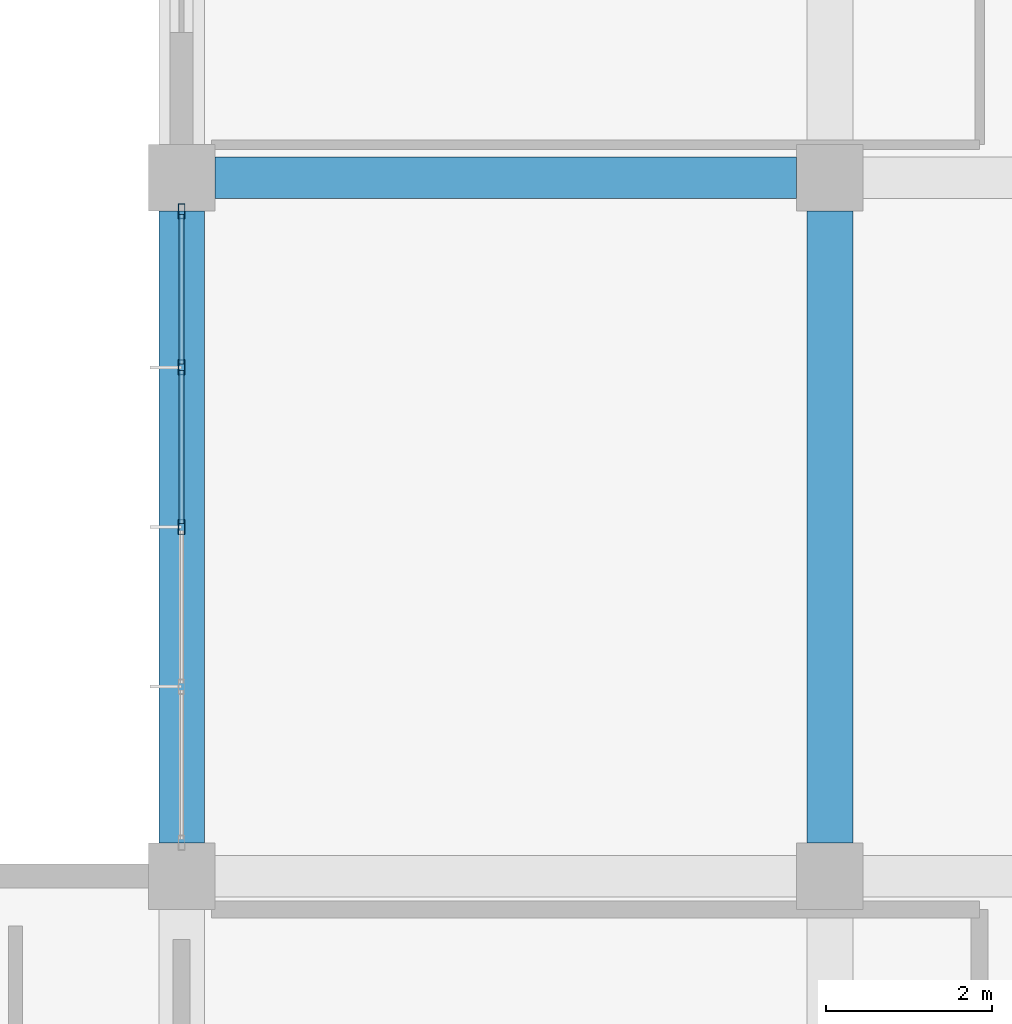
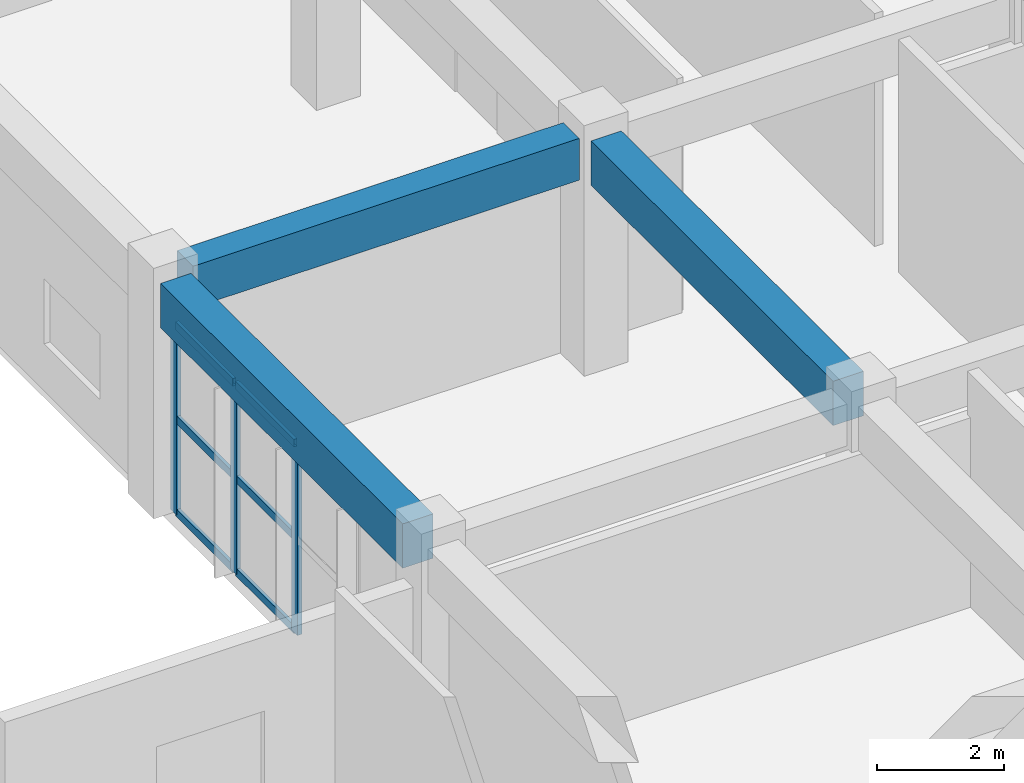
# One storey, part 35 of 139: 9 members, 3 beams, 1 element without a shape of its own.
"""IFC4 building model written with IfcOpenShell, lengths in metres."""

from ifc_helpers import new_model, si_unit, direction, frame, origin, origin_2d, place, context, subcontext, project, spatial, rectangle, hollow_rectangle, extrude, material, layer, layer_set, material_profile, profile_set, type_object, element, aggregate, save


model = new_model("IFC4")

# Units and contexts
model_context = context("Model", 3, precision=1e-05, world=origin(), true_north=direction((0.0, 1.0)))
body_context = subcontext(model_context, "Body", "Model", "MODEL_VIEW")
ifc_project = project(units=[si_unit("LENGTHUNIT", "METRE"), si_unit("AREAUNIT", "SQUARE_METRE"), si_unit("VOLUMEUNIT", "CUBIC_METRE"), si_unit("PLANEANGLEUNIT", "RADIAN"), si_unit("MASSUNIT", "GRAM", prefix="KILO")], contexts=[model_context])

# Site, building, storey
site_placement = place(None, origin())
site = spatial("IfcSite", under=ifc_project, at=site_placement, CompositionType="ELEMENT")
building_placement = place(site_placement, origin())
building = spatial("IfcBuilding", under=site, at=building_placement, Name="Zizhar Promenade General Hospital", CompositionType="ELEMENT")
storey_placement = place(building_placement, origin())
storey = spatial("IfcBuildingStorey", under=building, at=storey_placement, Name="L00", CompositionType="ELEMENT", Elevation=0.0)

# Beams
ifc_material_1 = material(Name="Concrete C35/45", Category="concrete")
ifc_material_profile_1 = material_profile(ifc_material_1, rectangle(XDim=0.5, YDim=0.800048828125, at=origin_2d()))
ifc_profile_set_1 = profile_set([ifc_material_profile_1], Name="Concrete C35/45")
beam_type_1 = type_object("IfcBeamType", Name="BM-RC-500x800", PredefinedType="BEAM", material=ifc_profile_set_1)
beam_placement = place(storey_placement, frame((47.199951171875, 92.39990234375, 4.070068359375), z_axis=(1.0, 0.0, 0.0), x_axis=(0.0, 1.0, 0.0)))
element("IfcBeam", 1, at=beam_placement, inside=storey, type_object=beam_type_1, Name="Grid Beam X L00 (6-11)", PredefinedType="BEAM", context=body_context, shape_type="SweptSolid", body=[
    extrude(rectangle(XDim=0.5, YDim=0.800048828125, at=origin_2d()), origin(), (0.0, 0.0, 1.0), 7.0),
])
ifc_material_2 = material(Name="Concrete C35/45", Category="concrete")
ifc_material_profile_2 = material_profile(ifc_material_2, rectangle(XDim=0.550048828125, YDim=0.85009765625, at=origin_2d()))
ifc_profile_set_2 = profile_set([ifc_material_profile_2], Name="Concrete C35/45")
beam_type_2 = type_object("IfcBeamType", Name="BM-RC-550x850", PredefinedType="BEAM", material=ifc_profile_set_2)
for number, where, z_axis, x_axis, name in (
    (2, (46.800048828125, 84.39990234375, 4.044921875), (0.0, 1.0, 0.0), (-1.0, 0.0, 0.0), "Grid Beam Y L00 (6-10)"),
    (3, (54.60009765625, 84.39990234375, 4.044921875), (0.0, 1.0, 0.0), (-1.0, 0.0, 0.0), "Grid Beam Y L00 (7-10)"),
):
    element("IfcBeam", number, at=place(storey_placement, frame(where, z_axis=z_axis, x_axis=x_axis)), inside=storey, type_object=beam_type_2, Name=name, PredefinedType="BEAM", context=body_context, shape_type="SweptSolid", body=[
        extrude(rectangle(XDim=0.550048828125, YDim=0.85009765625, at=origin_2d()), origin(), (0.0, 0.0, 1.0), 7.60009765625),
    ])

# Curtain wall, members
ifc_material_3 = material(Name="Anodised aluminium 6063-T6 and low-E glass", Category="aluminium")
ifc_layer = layer(ifc_material_3, 0.159912109375)
ifc_layer_set = layer_set([ifc_layer], Name="Anodised aluminium 6063-T6 and low-E glass")
curtain_wall_type = type_object("IfcCurtainWallType", Name="CW-DT-MOD1", PredefinedType="NOTDEFINED", material=ifc_layer_set)
curtain_wall_placement = place(storey_placement, origin())
curtain_wall = element("IfcCurtainWall", 4, at=curtain_wall_placement, inside=storey, type_object=curtain_wall_type, Name="Surgical West Glazed Curtain Wall L00-10", PredefinedType="NOTDEFINED")
ifc_material_4 = material(Name="Anodised aluminium 6063-T6", Category="aluminium")
ifc_material_profile_3 = material_profile(ifc_material_4, hollow_rectangle(XDim=0.080078125, YDim=0.179931640625, WallThickness=0.0048828125, at=origin_2d()))
ifc_profile_set_3 = profile_set([ifc_material_profile_3], Name="Anodised aluminium 6063-T6")
member_type_1 = type_object("IfcMemberType", Name="CWM-ALU-180x80", PredefinedType="MULLION", material=ifc_profile_set_3)
member_1_placement = place(storey_placement, frame((46.800048828125, 88.199951171875, 0.0), z_axis=(0.0, 0.0, 1.0), x_axis=(-1.0, 0.0, 0.0)))
member_1 = element("IfcMember", 5, at=member_1_placement, type_object=member_type_1, Name="CW-07 mullion 3", PredefinedType="MULLION", context=body_context, shape_type="SweptSolid", body=[
    extrude(hollow_rectangle(XDim=0.080078125, YDim=0.179931640625, WallThickness=0.0048828125, at=origin_2d()), origin(), (0.0, 0.0, 1.0), 3.6298828125),
])
member_2_placement = place(storey_placement, frame((46.800048828125, 90.1201171875, 0.0), z_axis=(0.0, 0.0, 1.0), x_axis=(-1.0, 0.0, 0.0)))
member_2 = element("IfcMember", 6, at=member_2_placement, type_object=member_type_1, Name="CW-07 mullion 4", PredefinedType="MULLION", context=body_context, shape_type="SweptSolid", body=[
    extrude(hollow_rectangle(XDim=0.080078125, YDim=0.179931640625, WallThickness=0.0048828125, at=origin_2d()), origin(), (0.0, 0.0, 1.0), 3.6298828125),
])
member_3_placement = place(storey_placement, frame((46.800048828125, 92.0, 0.0), z_axis=(0.0, 0.0, 1.0), x_axis=(-1.0, 0.0, 0.0)))
member_3 = element("IfcMember", 7, at=member_3_placement, type_object=member_type_1, Name="CW-07 mullion 5", PredefinedType="MULLION", context=body_context, shape_type="SweptSolid", body=[
    extrude(hollow_rectangle(XDim=0.080078125, YDim=0.179931640625, WallThickness=0.0048828125, at=origin_2d()), origin(), (0.0, 0.0, 1.0), 3.6298828125),
])
ifc_material_5 = material(Name="Anodised aluminium 6063-T6", Category="aluminium")
ifc_material_profile_4 = material_profile(ifc_material_5, hollow_rectangle(XDim=0.06005859375, YDim=0.14990234375, WallThickness=0.00390625, at=origin_2d()))
ifc_profile_set_4 = profile_set([ifc_material_profile_4], Name="Anodised aluminium 6063-T6")
member_type_2 = type_object("IfcMemberType", Name="CWT-ALU-150x60", PredefinedType="USERDEFINED", material=ifc_profile_set_4)
member_4_placement = place(storey_placement, frame((46.800048828125, 88.239990234375, 0.030029296875), z_axis=(0.0, 1.0, 0.0), x_axis=(-1.0, 0.0, 0.0)))
member_4 = element("IfcMember", 8, at=member_4_placement, type_object=member_type_2, Name="CW-07 transom 3.1", ObjectType="TRANSOM", PredefinedType="USERDEFINED", context=body_context, shape_type="SweptSolid", body=[
    extrude(hollow_rectangle(XDim=0.06005859375, YDim=0.14990234375, WallThickness=0.00390625, at=origin_2d()), origin(), (0.0, 0.0, 1.0), 1.840087890625),
])
member_5_placement = place(storey_placement, frame((46.800048828125, 88.239990234375, 1.81494140625), z_axis=(0.0, 1.0, 0.0), x_axis=(-1.0, 0.0, 0.0)))
member_5 = element("IfcMember", 9, at=member_5_placement, type_object=member_type_2, Name="CW-07 transom 3.2", ObjectType="TRANSOM", PredefinedType="USERDEFINED", context=body_context, shape_type="SweptSolid", body=[
    extrude(hollow_rectangle(XDim=0.06005859375, YDim=0.14990234375, WallThickness=0.00390625, at=origin_2d()), origin(), (0.0, 0.0, 1.0), 1.840087890625),
])
member_6_placement = place(storey_placement, frame((46.800048828125, 88.239990234375, 3.60009765625), z_axis=(0.0, 1.0, 0.0), x_axis=(-1.0, 0.0, 0.0)))
member_6 = element("IfcMember", 10, at=member_6_placement, type_object=member_type_2, Name="CW-07 transom 3.3", ObjectType="TRANSOM", PredefinedType="USERDEFINED", context=body_context, shape_type="SweptSolid", body=[
    extrude(hollow_rectangle(XDim=0.06005859375, YDim=0.14990234375, WallThickness=0.00390625, at=origin_2d()), origin(), (0.0, 0.0, 1.0), 1.840087890625),
])
member_7_placement = place(storey_placement, frame((46.800048828125, 90.159912109375, 0.030029296875), z_axis=(0.0, 1.0, 0.0), x_axis=(-1.0, 0.0, 0.0)))
member_7 = element("IfcMember", 11, at=member_7_placement, type_object=member_type_2, Name="CW-07 transom 4.1", ObjectType="TRANSOM", PredefinedType="USERDEFINED", context=body_context, shape_type="SweptSolid", body=[
    extrude(hollow_rectangle(XDim=0.06005859375, YDim=0.14990234375, WallThickness=0.00390625, at=origin_2d()), origin(), (0.0, 0.0, 1.0), 1.800048828125),
])
member_8_placement = place(storey_placement, frame((46.800048828125, 90.159912109375, 1.81494140625), z_axis=(0.0, 1.0, 0.0), x_axis=(-1.0, 0.0, 0.0)))
member_8 = element("IfcMember", 12, at=member_8_placement, type_object=member_type_2, Name="CW-07 transom 4.2", ObjectType="TRANSOM", PredefinedType="USERDEFINED", context=body_context, shape_type="SweptSolid", body=[
    extrude(hollow_rectangle(XDim=0.06005859375, YDim=0.14990234375, WallThickness=0.00390625, at=origin_2d()), origin(), (0.0, 0.0, 1.0), 1.800048828125),
])
member_9_placement = place(storey_placement, frame((46.800048828125, 90.159912109375, 3.60009765625), z_axis=(0.0, 1.0, 0.0), x_axis=(-1.0, 0.0, 0.0)))
member_9 = element("IfcMember", 13, at=member_9_placement, type_object=member_type_2, Name="CW-07 transom 4.3", ObjectType="TRANSOM", PredefinedType="USERDEFINED", context=body_context, shape_type="SweptSolid", body=[
    extrude(hollow_rectangle(XDim=0.06005859375, YDim=0.14990234375, WallThickness=0.00390625, at=origin_2d()), origin(), (0.0, 0.0, 1.0), 1.800048828125),
])
aggregate(curtain_wall, [member_1, member_2, member_3, member_4, member_5, member_6, member_7, member_8, member_9])

save(model, "model.ifc")
